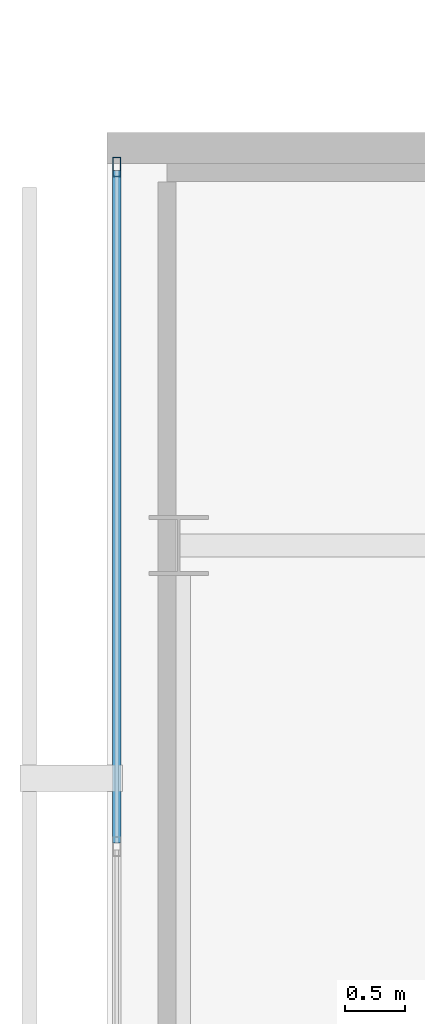
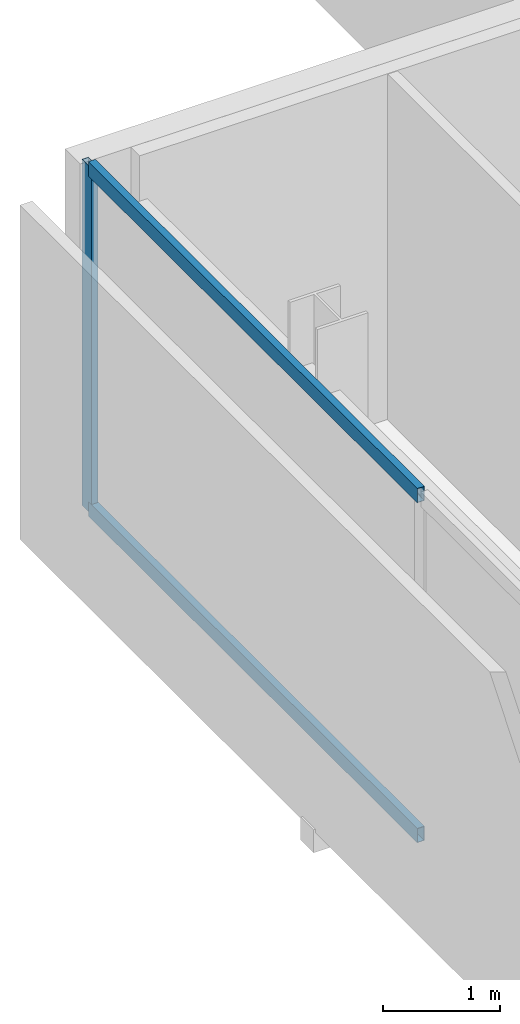
# One storey, part 14 of 23: 3 members, 1 element without a shape of its own.
"""IFC4 building model written with IfcOpenShell, lengths in metres."""

from ifc_helpers import new_model, si_unit, direction, frame, origin, origin_2d, place, context, subcontext, project, spatial, hollow_rectangle, extrude, material, layer, layer_set, material_profile, profile_set, type_object, element, aggregate, save


model = new_model("IFC4")

# Units and contexts
model_context = context("Model", 3, precision=1e-05, world=origin(), true_north=direction((0.0, 1.0)))
body_context = subcontext(model_context, "Body", "Model", "MODEL_VIEW")
ifc_project = project(units=[si_unit("LENGTHUNIT", "METRE"), si_unit("AREAUNIT", "SQUARE_METRE"), si_unit("VOLUMEUNIT", "CUBIC_METRE"), si_unit("PLANEANGLEUNIT", "RADIAN"), si_unit("MASSUNIT", "GRAM", prefix="KILO")], contexts=[model_context])

# Site, building, storey
site_placement = place(None, origin())
site = spatial("IfcSite", under=ifc_project, at=site_placement, CompositionType="ELEMENT")
building_placement = place(site_placement, origin())
building = spatial("IfcBuilding", under=site, at=building_placement, Name="Maruvema Waterfront Hotel and Observation Tower", CompositionType="ELEMENT")
storey_placement = place(building_placement, frame((0.0, 0.0, 341.25)))
storey = spatial("IfcBuildingStorey", under=building, at=storey_placement, Name="L84", CompositionType="ELEMENT", Elevation=341.25)

# Curtain wall, members
ifc_material_1 = material(Name="Anodised bronze aluminium and solar-control low-E IGU", Category="aluminium")
ifc_layer = layer(ifc_material_1, 0.159912109375, Name="Zone 4 Sky Residence Inner Curtain Wall System CW-05")
ifc_layer_set = layer_set([ifc_layer], Name="Anodised bronze aluminium and solar-control low-E IGU")
curtain_wall_type = type_object("IfcCurtainWallType", Name="Zone 4 Sky Residence Inner Curtain Wall System CW-05", PredefinedType="USERDEFINED", material=ifc_layer_set)
curtain_wall_placement = place(storey_placement, origin())
curtain_wall = element("IfcCurtainWall", 1, at=curtain_wall_placement, inside=storey, type_object=curtain_wall_type, Name="L84 Curtain Wall CW-L84-W", ObjectType="UNITISED CURTAIN WALL", PredefinedType="USERDEFINED")
ifc_material_2 = material(Name="Anodised architectural bronze aluminium", Category="aluminium")
ifc_material_profile_1 = material_profile(ifc_material_2, hollow_rectangle(XDim=0.070068359375, YDim=0.14990234375, WallThickness=0.00390625, at=origin_2d()), Name="ALU-T70x150")
ifc_profile_set_1 = profile_set([ifc_material_profile_1], Name="Anodised architectural bronze aluminium")
member_type_1 = type_object("IfcMemberType", Name="Curtain Wall Horizontal Transom ALU-T70x150", PredefinedType="USERDEFINED", material=ifc_profile_set_1)
member_1_placement = place(storey_placement, frame((17.780029296875, 48.139892578125, 0.030029296875), z_axis=(0.0, -1.0, 0.0), x_axis=(1.0, 0.0, 0.0)))
member_1 = element("IfcMember", 2, at=member_1_placement, type_object=member_type_1, Name="CW-05 transom 1.1", ObjectType="TRANSOM", PredefinedType="USERDEFINED", context=body_context, shape_type="SweptSolid", body=[
    extrude(hollow_rectangle(XDim=0.070068359375, YDim=0.14990234375, WallThickness=0.00390625, at=origin_2d()), origin(), (0.0, 0.0, 1.0), 5.6298828125),
])
member_2_placement = place(storey_placement, frame((17.780029296875, 48.139892578125, 3.580078125), z_axis=(0.0, -1.0, 0.0), x_axis=(1.0, 0.0, 0.0)))
member_2 = element("IfcMember", 3, at=member_2_placement, type_object=member_type_1, Name="CW-05 transom 1.2", ObjectType="TRANSOM", PredefinedType="USERDEFINED", context=body_context, shape_type="SweptSolid", body=[
    extrude(hollow_rectangle(XDim=0.070068359375, YDim=0.14990234375, WallThickness=0.00390625, at=origin_2d()), origin(), (0.0, 0.0, 1.0), 5.6298828125),
])
ifc_material_3 = material(Name="Anodised architectural bronze aluminium", Category="aluminium")
ifc_material_profile_2 = material_profile(ifc_material_3, hollow_rectangle(XDim=0.06494140625, YDim=0.1650390625, WallThickness=0.00390625, at=origin_2d()), Name="ALU-M65x165")
ifc_profile_set_2 = profile_set([ifc_material_profile_2], Name="Anodised architectural bronze aluminium")
member_type_2 = type_object("IfcMemberType", Name="Curtain Wall Primary Mullion ALU-M65x165", PredefinedType="MULLION", material=ifc_profile_set_2)
member_3_placement = place(storey_placement, frame((17.780029296875, 48.169921875, 0.0), z_axis=(0.0, 0.0, 1.0), x_axis=(1.0, 0.0, 0.0)))
member_3 = element("IfcMember", 4, at=member_3_placement, type_object=member_type_2, Name="CW-05 mullion 1", PredefinedType="MULLION", context=body_context, shape_type="SweptSolid", body=[
    extrude(hollow_rectangle(XDim=0.06494140625, YDim=0.1650390625, WallThickness=0.00390625, at=origin_2d()), origin(), (0.0, 0.0, 1.0), 3.610107421875),
])
aggregate(curtain_wall, [member_3, member_1, member_2])

save(model, "model.ifc")
